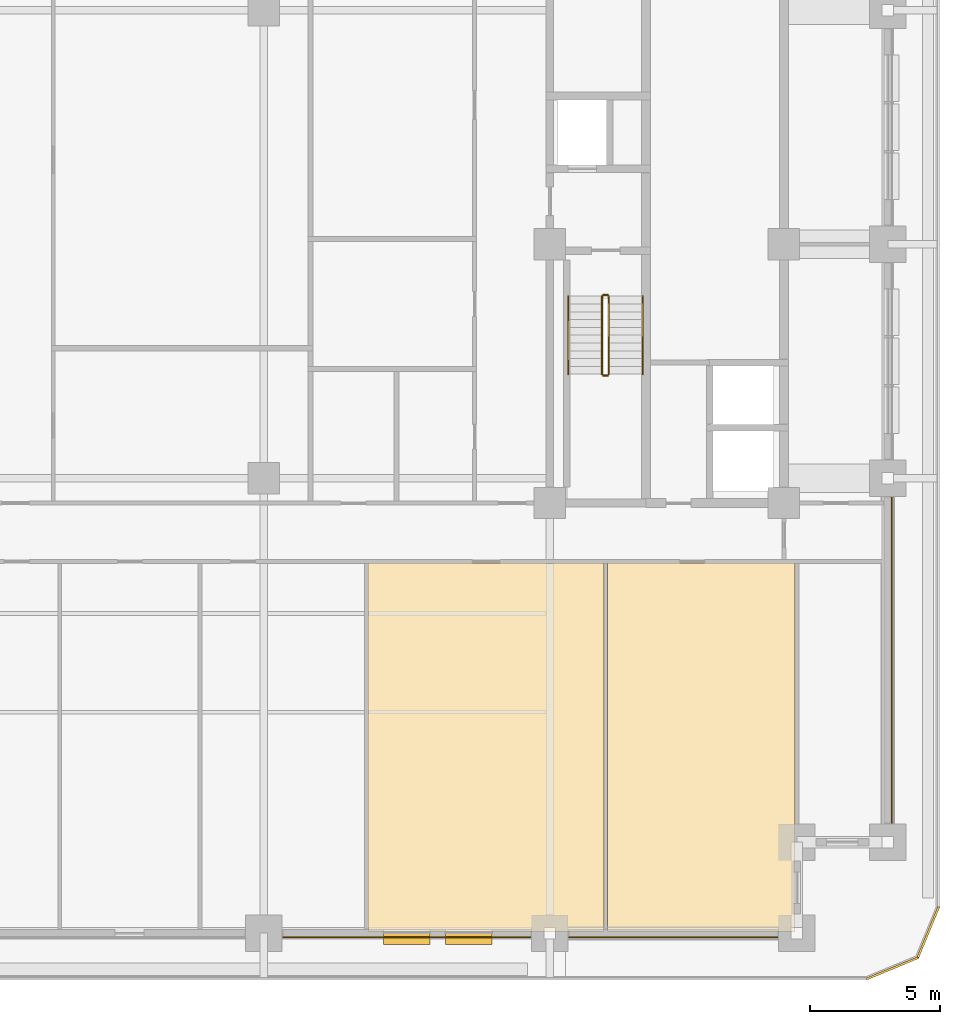
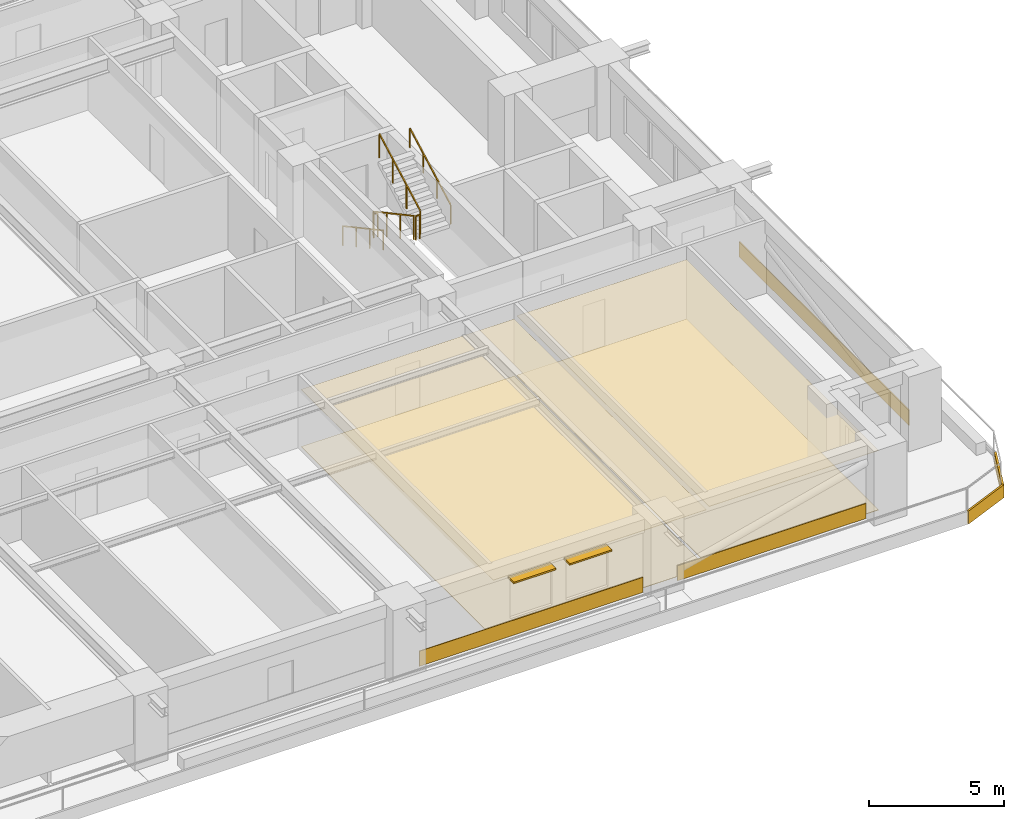
# One storey, part 13 of 14: 9 coverings, 6 railings, 2 shading devices.
"""IFC4 building model written with IfcOpenShell, lengths in metres."""

from ifc_helpers import new_model, si_unit, direction, frame, frame_2d, origin, origin_2d, place, context, subcontext, project, spatial, polyline, rectangle, outline, extrude, material, layer, layer_set, type_object, element, save


model = new_model("IFC4")

# Units and contexts
model_context = context("Model", 3, precision=1e-05, world=origin(), true_north=direction((0.0, 1.0)))
body_context = subcontext(model_context, "Body", "Model", "MODEL_VIEW")
ifc_project = project(units=[si_unit("LENGTHUNIT", "METRE"), si_unit("AREAUNIT", "SQUARE_METRE"), si_unit("VOLUMEUNIT", "CUBIC_METRE"), si_unit("PLANEANGLEUNIT", "RADIAN"), si_unit("MASSUNIT", "GRAM", prefix="KILO")], contexts=[model_context])

# Site, building, storey
site_placement = place(None, origin())
site = spatial("IfcSite", under=ifc_project, at=site_placement, CompositionType="ELEMENT")
building_placement = place(site_placement, origin())
building = spatial("IfcBuilding", under=site, at=building_placement, Name="Zulmaris Gate Convention Tower", CompositionType="ELEMENT")
storey_placement = place(building_placement, frame((0.0, 0.0, 60.760009765625)))
storey = spatial("IfcBuildingStorey", under=building, at=storey_placement, Name="L14", CompositionType="ELEMENT", Elevation=60.760009765625)

# Coverings
ifc_material_1 = material(Name="Precast concrete C40/50", Category="concrete")
ifc_layer_1 = layer(ifc_material_1, 0.0400390625, Name="Precast concrete C40/50")
ifc_layer_set_1 = layer_set([ifc_layer_1], Name="Precast concrete C40/50")
covering_type_1 = type_object("IfcCoveringType", Name="CLAD-SPANDREL-PRECAST", PredefinedType="CLADDING", material=ifc_layer_set_1)
covering_1_placement = place(storey_placement, frame((0.72998046875, -26.64990234375, 0.0), z_axis=(0.0, 0.0, 1.0), x_axis=(1.0, 0.0, 0.0)))
element("IfcCovering", 1, at=covering_1_placement, inside=storey, type_object=covering_type_1, Name="CLD-L14-S-2_0", PredefinedType="CLADDING", context=body_context, shape_type="SweptSolid", body=[
    extrude(rectangle(XDim=9.5400390625, YDim=0.0400390625, at=frame_2d((4.77001953125, 0.0))), origin(), (0.0, 0.0, 1.0), 0.679931640625),
])
covering_2_placement = place(storey_placement, frame((11.72998046875, -26.64990234375, 0.0), z_axis=(0.0, 0.0, 1.0), x_axis=(1.0, 0.0, 0.0)))
element("IfcCovering", 2, at=covering_2_placement, inside=storey, type_object=covering_type_1, Name="CLD-L14-S-3_0", PredefinedType="CLADDING", context=body_context, shape_type="SweptSolid", body=[
    extrude(rectangle(XDim=8.0400390625, YDim=0.0400390625, at=frame_2d((4.02001953125, 0.0))), origin(), (0.0, 0.0, 1.0), 0.679931640625),
])
covering_3_placement = place(storey_placement, frame((24.14990234375, -22.27001953125, 0.0), z_axis=(0.0, 0.0, 1.0), x_axis=(0.0, 1.0, 0.0)))
element("IfcCovering", 3, at=covering_3_placement, inside=storey, type_object=covering_type_1, Name="CLD-L14-E-0_0", PredefinedType="CLADDING", context=body_context, shape_type="SweptSolid", body=[
    extrude(rectangle(XDim=12.5400390625, YDim=0.0400390625, at=frame_2d((6.27001953125, 0.0))), origin(), (0.0, 0.0, 1.0), 0.679931640625),
])
ifc_material_2 = material(Name="White Glazed Architectural Precast Concrete C40/50", Category="concrete")
ifc_layer_2 = layer(ifc_material_2, 0.080078125, Name="White Glazed Architectural Precast Concrete C40/50")
ifc_layer_set_2 = layer_set([ifc_layer_2], Name="White Glazed Architectural Precast Concrete C40/50")
covering_type_2 = type_object("IfcCoveringType", Name="CLAD-TRAY-FASCIA", PredefinedType="CLADDING", material=ifc_layer_set_2)
covering_4_placement = place(storey_placement, frame((23.184814453125, -28.262939453125, -0.465087890625), z_axis=(0.0, 0.0, 1.0), x_axis=(0.923873803533, 0.382697263049, 0.0)))
element("IfcCovering", 4, at=covering_4_placement, inside=storey, type_object=covering_type_2, Name="FSC-L14-TR-03", PredefinedType="CLADDING", context=body_context, shape_type="SweptSolid", body=[
    extrude(rectangle(XDim=2.142822265625, YDim=0.080078125, at=frame_2d((1.0712890625, 0.0))), origin(), (0.0, 0.0, 1.0), 0.5849609375),
])
covering_5_placement = place(storey_placement, frame((25.142822265625, -27.464599609375, -0.465087890625), z_axis=(0.0, 0.0, 1.0), x_axis=(0.382656984709, 0.923890487046, 0.0)))
element("IfcCovering", 5, at=covering_5_placement, inside=storey, type_object=covering_type_2, Name="FSC-L14-TR-04", PredefinedType="CLADDING", context=body_context, shape_type="SweptSolid", body=[
    extrude(rectangle(XDim=2.14306640625, YDim=0.080078125, at=frame_2d((1.071533203125, 0.0))), origin(), (0.0, 0.0, 1.0), 0.5849609375),
])
ifc_material_3 = material(Name="Mineral Fibre Acoustic Ceiling Tile")
ifc_layer_3 = layer(ifc_material_3, 0.02001953125, Name="Mineral Fibre Acoustic Ceiling Tile")
ifc_layer_set_3 = layer_set([ifc_layer_3], Name="Mineral Fibre Acoustic Ceiling Tile")
covering_type_3 = type_object("IfcCoveringType", Name="CLG-ACOUSTIC-600", PredefinedType="CEILING", material=ifc_layer_set_3)
covering_6_placement = place(storey_placement, frame((0.0, 0.0, 2.577880859375)))
element("IfcCovering", 6, at=covering_6_placement, inside=storey, type_object=covering_type_3, Name="CLG-L14-R39", PredefinedType="CEILING", context=body_context, shape_type="SweptSolid", body=[
    extrude(outline(polyline([(4.010009765625, -26.43994140625), (13.090087890625, -26.43994140625), (13.090087890625, -12.260009765625), (4.010009765625, -12.260009765625), (4.010009765625, -26.43994140625)])), origin(), (0.0, 0.0, 1.0), 0.02001953125),
])
covering_7_placement = place(storey_placement, frame((0.0, 0.0, 2.6796875)))
element("IfcCovering", 7, at=covering_7_placement, inside=storey, type_object=covering_type_3, Name="CLG-L14-R40", PredefinedType="CEILING", context=body_context, shape_type="SweptSolid", body=[
    extrude(outline(polyline([(13.2099609375, -26.43994140625), (20.43994140625, -26.43994140625), (20.43994140625, -12.260009765625), (13.2099609375, -12.260009765625), (13.2099609375, -26.43994140625)])), origin(), (0.0, 0.0, 1.0), 0.02001953125),
])
ifc_material_4 = material(Name="Woven Acoustic Wool Carpet Tile")
ifc_layer_4 = layer(ifc_material_4, 0.02001953125, Name="Woven Acoustic Wool Carpet Tile")
ifc_layer_set_4 = layer_set([ifc_layer_4], Name="Woven Acoustic Wool Carpet Tile")
covering_type_4 = type_object("IfcCoveringType", Name="FLR-CARPET-12", PredefinedType="FLOORING", material=ifc_layer_set_4)
covering_8_placement = place(storey_placement, origin())
element("IfcCovering", 8, at=covering_8_placement, inside=storey, type_object=covering_type_4, Name="FLR-L14-R39", PredefinedType="FLOORING", context=body_context, shape_type="SweptSolid", body=[
    extrude(outline(polyline([(4.010009765625, -26.43994140625), (13.090087890625, -26.43994140625), (13.090087890625, -12.260009765625), (4.010009765625, -12.260009765625), (4.010009765625, -26.43994140625)])), origin(), (0.0, 0.0, 1.0), 0.02001953125),
])
covering_9_placement = place(storey_placement, origin())
element("IfcCovering", 9, at=covering_9_placement, inside=storey, type_object=covering_type_4, Name="FLR-L14-R40", PredefinedType="FLOORING", context=body_context, shape_type="SweptSolid", body=[
    extrude(outline(polyline([(13.2099609375, -26.43994140625), (20.43994140625, -26.43994140625), (20.43994140625, -12.260009765625), (13.2099609375, -12.260009765625), (13.2099609375, -26.43994140625)])), origin(), (0.0, 0.0, 1.0), 0.02001953125),
])

# Railings
ifc_material_5 = material(Name="Painted Galvanised Steel", Category="steel")
railing_type_1 = type_object("IfcRailingType", Name="RL-STG-1150", PredefinedType="GUARDRAIL", material=ifc_material_5)
railing_1_placement = place(storey_placement, frame((13.010009765625, -2.0, 0.162353515625)))
element("IfcRailing", 10, at=railing_1_placement, inside=storey, type_object=railing_type_1, Name="L14 ST-2 stair guard 1", PredefinedType="GUARDRAIL", context=body_context, shape_type="SweptSolid", body=[
    extrude(rectangle(XDim=0.048095703125, YDim=0.048095703125, at=origin_2d()), frame((0.0, 0.0, 1.076171875), z_axis=(0.0, -0.879591569277, 0.475729619907), x_axis=(1.0, 0.0, 0.0)), (0.0, 0.0, 1.0), 3.41064453125),
    extrude(rectangle(XDim=0.0419921875, YDim=0.0419921875, at=origin_2d()), origin(), (0.0, 0.0, 1.0), 1.052001953125),
    extrude(rectangle(XDim=0.0419921875, YDim=0.0419921875, at=origin_2d()), frame((0.0, -1.0, 0.540771484375)), (0.0, 0.0, 1.0), 1.052001953125),
    extrude(rectangle(XDim=0.0419921875, YDim=0.0419921875, at=origin_2d()), frame((0.0, -2.0, 1.081787109375)), (0.0, 0.0, 1.0), 1.052001953125),
    extrude(rectangle(XDim=0.0419921875, YDim=0.0419921875, at=origin_2d()), frame((0.0, -3.0, 1.62255859375)), (0.0, 0.0, 1.0), 1.052001953125),
])
railing_2_placement = place(storey_placement, frame((13.06005859375, -5.050048828125, 1.784912109375)))
element("IfcRailing", 11, at=railing_2_placement, inside=storey, type_object=railing_type_1, Name="L14 ST-2 stair guard 2", PredefinedType="GUARDRAIL", context=body_context, shape_type="SweptSolid", body=[
    extrude(rectangle(XDim=0.048095703125, YDim=0.048095703125, at=origin_2d()), frame((0.0, 0.0, 1.076171875), z_axis=(1.0, 0.0, 0.0), x_axis=(0.0, 1.0, 0.0)), (0.0, 0.0, 1.0), 0.159912109375),
    extrude(rectangle(XDim=0.0419921875, YDim=0.0419921875, at=origin_2d()), origin(), (0.0, 0.0, 1.0), 1.052001953125),
    extrude(rectangle(XDim=0.0419921875, YDim=0.0419921875, at=origin_2d()), frame((0.159912109375, 0.0, 0.0)), (0.0, 0.0, 1.0), 1.052001953125),
])
railing_3_placement = place(storey_placement, frame((13.27001953125, -5.0, 1.947265625)))
element("IfcRailing", 12, at=railing_3_placement, inside=storey, type_object=railing_type_1, Name="L14 ST-2 stair guard 3", PredefinedType="GUARDRAIL", context=body_context, shape_type="SweptSolid", body=[
    extrude(rectangle(XDim=0.048095703125, YDim=0.048095703125, at=origin_2d()), frame((0.0, 0.0, 1.076171875), z_axis=(0.0, 0.879591569277, 0.475729619907), x_axis=(-1.0, 0.0, 0.0)), (0.0, 0.0, 1.0), 3.41064453125),
    extrude(rectangle(XDim=0.0419921875, YDim=0.0419921875, at=origin_2d()), origin(), (0.0, 0.0, 1.0), 1.052001953125),
    extrude(rectangle(XDim=0.0419921875, YDim=0.0419921875, at=origin_2d()), frame((0.0, 1.0, 0.540771484375)), (0.0, 0.0, 1.0), 1.052001953125),
    extrude(rectangle(XDim=0.0419921875, YDim=0.0419921875, at=origin_2d()), frame((0.0, 2.0, 1.081787109375)), (0.0, 0.0, 1.0), 1.052001953125),
    extrude(rectangle(XDim=0.0419921875, YDim=0.0419921875, at=origin_2d()), frame((0.0, 3.0, 1.62255859375)), (0.0, 0.0, 1.0), 1.052001953125),
])
railing_4_placement = place(storey_placement, frame((13.06005859375, -1.949951171875, 0.0)))
element("IfcRailing", 13, at=railing_4_placement, inside=storey, type_object=railing_type_1, Name="L14 ST-2 stair guard 4", PredefinedType="GUARDRAIL", context=body_context, shape_type="SweptSolid", body=[
    extrude(rectangle(XDim=0.048095703125, YDim=0.048095703125, at=origin_2d()), frame((0.0, 0.0, 1.076171875), z_axis=(1.0, 0.0, 0.0), x_axis=(0.0, 1.0, 0.0)), (0.0, 0.0, 1.0), 0.159912109375),
    extrude(rectangle(XDim=0.0419921875, YDim=0.0419921875, at=origin_2d()), origin(), (0.0, 0.0, 1.0), 1.052001953125),
    extrude(rectangle(XDim=0.0419921875, YDim=0.0419921875, at=origin_2d()), frame((0.159912109375, 0.0, 0.0)), (0.0, 0.0, 1.0), 1.052001953125),
])
ifc_material_6 = material(Name="Brushed Stainless Steel", Category="steel")
railing_type_2 = type_object("IfcRailingType", Name="RL-STH-900", PredefinedType="HANDRAIL", material=ifc_material_6)
railing_5_placement = place(storey_placement, frame((11.7099609375, -2.0, 0.162353515625)))
element("IfcRailing", 14, at=railing_5_placement, inside=storey, type_object=railing_type_2, Name="L14 ST-2 stair handrail 1", PredefinedType="HANDRAIL", context=body_context, shape_type="SweptSolid", body=[
    extrude(rectangle(XDim=0.048095703125, YDim=0.048095703125, at=origin_2d()), frame((0.0, 0.0, 0.8759765625), z_axis=(0.0, -0.879591569277, 0.475729619907), x_axis=(1.0, 0.0, 0.0)), (0.0, 0.0, 1.0), 3.41064453125),
    extrude(rectangle(XDim=0.0419921875, YDim=0.0419921875, at=origin_2d()), origin(), (0.0, 0.0, 1.0), 0.851806640625),
    extrude(rectangle(XDim=0.0419921875, YDim=0.0419921875, at=origin_2d()), frame((0.0, -1.0, 0.540771484375)), (0.0, 0.0, 1.0), 0.851806640625),
    extrude(rectangle(XDim=0.0419921875, YDim=0.0419921875, at=origin_2d()), frame((0.0, -2.0, 1.081787109375)), (0.0, 0.0, 1.0), 0.851806640625),
    extrude(rectangle(XDim=0.0419921875, YDim=0.0419921875, at=origin_2d()), frame((0.0, -3.0, 1.62255859375)), (0.0, 0.0, 1.0), 0.851806640625),
])
railing_6_placement = place(storey_placement, frame((14.570068359375, -5.0, 1.947265625)))
element("IfcRailing", 15, at=railing_6_placement, inside=storey, type_object=railing_type_2, Name="L14 ST-2 stair handrail 2", PredefinedType="HANDRAIL", context=body_context, shape_type="SweptSolid", body=[
    extrude(rectangle(XDim=0.048095703125, YDim=0.048095703125, at=origin_2d()), frame((0.0, 0.0, 0.8759765625), z_axis=(0.0, 0.879591569277, 0.475729619907), x_axis=(-1.0, 0.0, 0.0)), (0.0, 0.0, 1.0), 3.41064453125),
    extrude(rectangle(XDim=0.0419921875, YDim=0.0419921875, at=origin_2d()), origin(), (0.0, 0.0, 1.0), 0.851806640625),
    extrude(rectangle(XDim=0.0419921875, YDim=0.0419921875, at=origin_2d()), frame((0.0, 1.0, 0.540771484375)), (0.0, 0.0, 1.0), 0.851806640625),
    extrude(rectangle(XDim=0.0419921875, YDim=0.0419921875, at=origin_2d()), frame((0.0, 2.0, 1.081787109375)), (0.0, 0.0, 1.0), 0.851806640625),
    extrude(rectangle(XDim=0.0419921875, YDim=0.0419921875, at=origin_2d()), frame((0.0, 3.0, 1.62255859375)), (0.0, 0.0, 1.0), 0.851806640625),
])

# Shading devices
ifc_material_7 = material(Name="Glazed Ceramic Terracotta", Category="masonry")
ifc_layer_5 = layer(ifc_material_7, 0.070068359375, Name="Glazed Ceramic Terracotta")
ifc_layer_set_5 = layer_set([ifc_layer_5], Name="Glazed Ceramic Terracotta")
shading_device_type = type_object("IfcShadingDeviceType", Name="SHD-SUNSHADE-TC", PredefinedType="AWNING", material=ifc_layer_set_5)
for number, where, z_axis, x_axis, name in (
    (16, (4.60009765625, -26.719970703125, 2.530029296875), (0.0, 0.0, 1.0), (1.0, 0.0, 0.0), "SHD-EW-L14-S-2_0-2"),
    (17, (6.985107421875, -26.719970703125, 2.530029296875), (0.0, 0.0, 1.0), (1.0, 0.0, 0.0), "SHD-EW-L14-S-2_0-3"),
):
    element("IfcShadingDevice", number, at=place(storey_placement, frame(where, z_axis=z_axis, x_axis=x_axis)), inside=storey, type_object=shading_device_type, Name=name, PredefinedType="AWNING", context=body_context, shape_type="SweptSolid", body=[
        extrude(rectangle(XDim=1.7998046875, YDim=0.43994140625, at=frame_2d((0.89990234375, 0.0))), origin(), (0.0, 0.0, 1.0), 0.070068359375),
    ])

save(model, "model.ifc")
